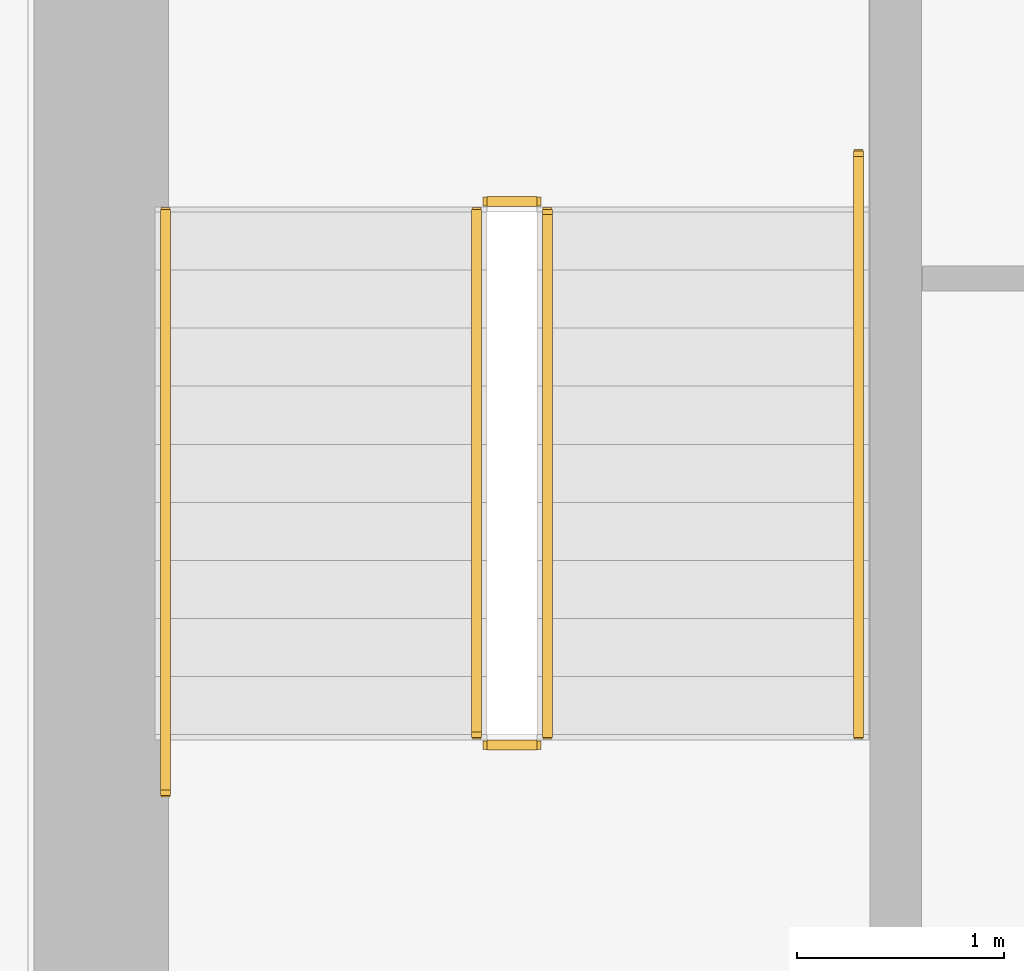
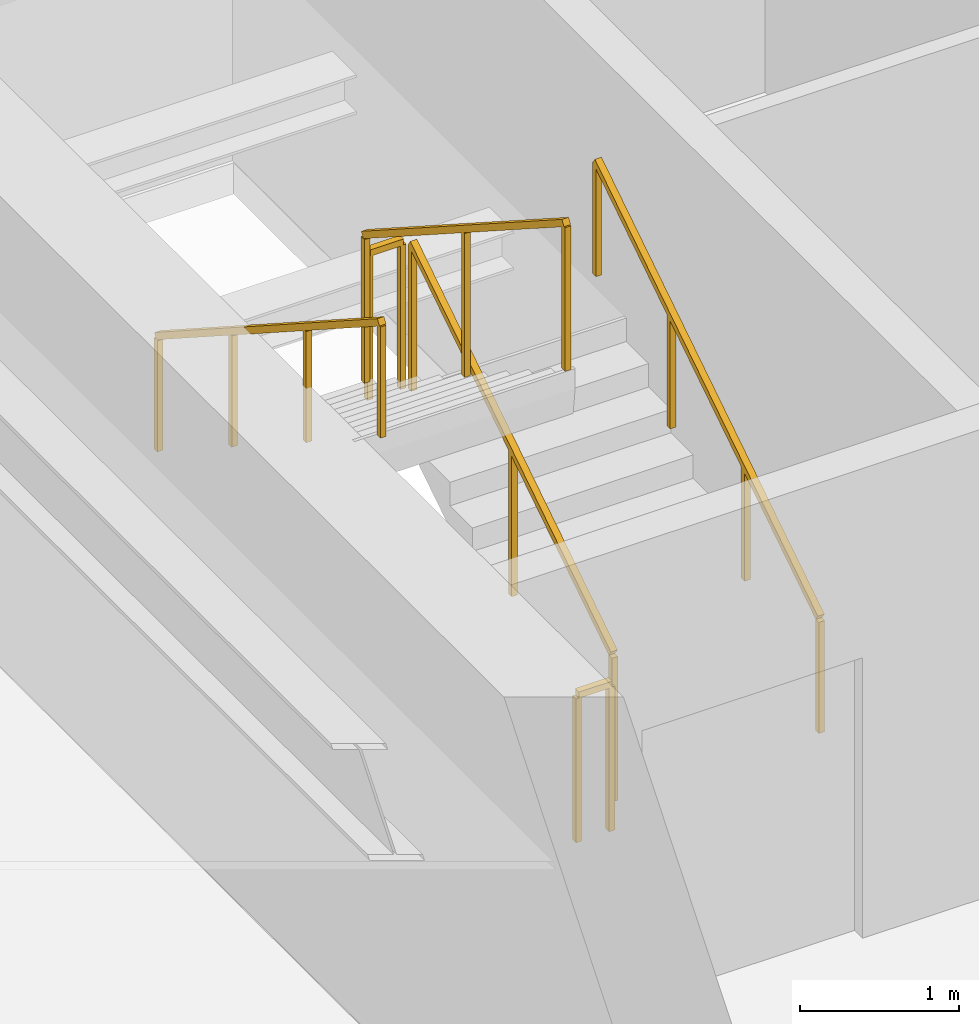
# One storey, part 33 of 36: 6 railings.
"""IFC4 building model written with IfcOpenShell, lengths in metres."""

from ifc_helpers import new_model, si_unit, direction, frame, origin, origin_2d, place, context, subcontext, project, spatial, rectangle, extrude, material, type_object, element, save


model = new_model("IFC4")

# Units and contexts
model_context = context("Model", 3, precision=1e-05, world=origin(), true_north=direction((0.0, 1.0)))
body_context = subcontext(model_context, "Body", "Model", "MODEL_VIEW")
ifc_project = project(units=[si_unit("LENGTHUNIT", "METRE"), si_unit("AREAUNIT", "SQUARE_METRE"), si_unit("VOLUMEUNIT", "CUBIC_METRE"), si_unit("PLANEANGLEUNIT", "RADIAN"), si_unit("MASSUNIT", "GRAM", prefix="KILO")], contexts=[model_context])

# Site, building, storey
site_placement = place(None, origin())
site = spatial("IfcSite", under=ifc_project, at=site_placement, CompositionType="ELEMENT")
building_placement = place(site_placement, origin())
building = spatial("IfcBuilding", under=site, at=building_placement, Name="Sumidabori Civic Tower", CompositionType="ELEMENT")
storey_placement = place(building_placement, frame((0.0, 0.0, 113.60009765625)))
storey = spatial("IfcBuildingStorey", under=building, at=storey_placement, Name="L29", CompositionType="ELEMENT", Elevation=113.60009765625)

# Railings
ifc_material_1 = material(Name="Stainless Steel Hairline Finish", Category="steel")
railing_type_1 = type_object("IfcRailingType", Name="RL-HANDRAIL", PredefinedType="HANDRAIL", material=ifc_material_1)
railing_1_placement = place(storey_placement, frame((-11.949951171875, 16.0, 0.179931640625)))
element("IfcRailing", 1, at=railing_1_placement, inside=storey, type_object=railing_type_1, Name="L29 ST-1 stair handrail 1", PredefinedType="HANDRAIL", context=body_context, shape_type="SweptSolid", body=[
    extrude(rectangle(XDim=0.048095703125, YDim=0.048095703125, at=origin_2d()), frame((0.0, 0.0, 0.8759765625), z_axis=(0.0, 0.840675598268, 0.541539046124), x_axis=(-1.0, 0.0, 0.0)), (0.0, 0.0, 1.0), 3.330810546875),
    extrude(rectangle(XDim=0.0419921875, YDim=0.0419921875, at=origin_2d()), origin(), (0.0, 0.0, 1.0), 0.851806640625),
    extrude(rectangle(XDim=0.0419921875, YDim=0.0419921875, at=origin_2d()), frame((0.0, 0.933349609375, 0.601318359375)), (0.0, 0.0, 1.0), 0.851806640625),
    extrude(rectangle(XDim=0.0419921875, YDim=0.0419921875, at=origin_2d()), frame((0.0, 1.86669921875, 1.202392578125)), (0.0, 0.0, 1.0), 0.851806640625),
    extrude(rectangle(XDim=0.0419921875, YDim=0.0419921875, at=origin_2d()), frame((0.0, 2.800048828125, 1.8037109375)), (0.0, 0.0, 1.0), 0.851806640625),
])
railing_2_placement = place(storey_placement, frame((-15.2900390625, 18.52001953125, 1.97998046875)))
element("IfcRailing", 2, at=railing_2_placement, inside=storey, type_object=railing_type_1, Name="L29 ST-1 stair handrail 2", PredefinedType="HANDRAIL", context=body_context, shape_type="SweptSolid", body=[
    extrude(rectangle(XDim=0.048095703125, YDim=0.048095703125, at=origin_2d()), frame((0.0, 0.0, 0.8759765625), z_axis=(0.0, -0.840675598268, 0.541539046124), x_axis=(1.0, 0.0, 0.0)), (0.0, 0.0, 1.0), 3.330810546875),
    extrude(rectangle(XDim=0.0419921875, YDim=0.0419921875, at=origin_2d()), origin(), (0.0, 0.0, 1.0), 0.851806640625),
    extrude(rectangle(XDim=0.0419921875, YDim=0.0419921875, at=origin_2d()), frame((0.0, -0.933349609375, 0.601318359375)), (0.0, 0.0, 1.0), 0.851806640625),
    extrude(rectangle(XDim=0.0419921875, YDim=0.0419921875, at=origin_2d()), frame((0.0, -1.86669921875, 1.202392578125)), (0.0, 0.0, 1.0), 0.851806640625),
    extrude(rectangle(XDim=0.0419921875, YDim=0.0419921875, at=origin_2d()), frame((0.0, -2.800048828125, 1.8037109375)), (0.0, 0.0, 1.0), 0.851806640625),
])
ifc_material_2 = material(Name="Steel SN490", Category="steel")
railing_type_2 = type_object("IfcRailingType", Name="RL-STAIR-GUARD", PredefinedType="GUARDRAIL", material=ifc_material_2)
railing_3_placement = place(storey_placement, frame((-13.449951171875, 16.0, 0.179931640625)))
element("IfcRailing", 3, at=railing_3_placement, inside=storey, type_object=railing_type_2, Name="L29 ST-1 stair guard 1", PredefinedType="GUARDRAIL", context=body_context, shape_type="SweptSolid", body=[
    extrude(rectangle(XDim=0.048095703125, YDim=0.048095703125, at=origin_2d()), frame((0.0, 0.0, 1.1259765625), z_axis=(0.0, 0.841199657755, 0.540724639528), x_axis=(-1.0, 0.0, 0.0)), (0.0, 0.0, 1.0), 2.995849609375),
    extrude(rectangle(XDim=0.0419921875, YDim=0.0419921875, at=origin_2d()), origin(), (0.0, 0.0, 1.0), 1.101806640625),
    extrude(rectangle(XDim=0.0419921875, YDim=0.0419921875, at=origin_2d()), frame((0.0, 1.260009765625, 0.81005859375)), (0.0, 0.0, 1.0), 1.101806640625),
    extrude(rectangle(XDim=0.0419921875, YDim=0.0419921875, at=origin_2d()), frame((0.0, 2.52001953125, 1.619873046875)), (0.0, 0.0, 1.0), 1.101806640625),
])
railing_4_placement = place(storey_placement, frame((-13.5, 18.570068359375, 1.7998046875)))
element("IfcRailing", 4, at=railing_4_placement, inside=storey, type_object=railing_type_2, Name="L29 ST-1 stair guard 2", PredefinedType="GUARDRAIL", context=body_context, shape_type="SweptSolid", body=[
    extrude(rectangle(XDim=0.048095703125, YDim=0.048095703125, at=origin_2d()), frame((0.0, 0.0, 1.1259765625), z_axis=(-1.0, 0.0, 0.0), x_axis=(0.0, -1.0, 0.0)), (0.0, 0.0, 1.0), 0.239990234375),
    extrude(rectangle(XDim=0.0419921875, YDim=0.0419921875, at=origin_2d()), origin(), (0.0, 0.0, 1.0), 1.101806640625),
    extrude(rectangle(XDim=0.0419921875, YDim=0.0419921875, at=origin_2d()), frame((-0.239990234375, 0.0, 0.0)), (0.0, 0.0, 1.0), 1.101806640625),
])
railing_5_placement = place(storey_placement, frame((-13.7900390625, 18.52001953125, 1.97998046875)))
element("IfcRailing", 5, at=railing_5_placement, inside=storey, type_object=railing_type_2, Name="L29 ST-1 stair guard 3", PredefinedType="GUARDRAIL", context=body_context, shape_type="SweptSolid", body=[
    extrude(rectangle(XDim=0.048095703125, YDim=0.048095703125, at=origin_2d()), frame((0.0, 0.0, 1.1259765625), z_axis=(0.0, -0.841199657755, 0.540724639528), x_axis=(1.0, 0.0, 0.0)), (0.0, 0.0, 1.0), 2.995849609375),
    extrude(rectangle(XDim=0.0419921875, YDim=0.0419921875, at=origin_2d()), origin(), (0.0, 0.0, 1.0), 1.101806640625),
    extrude(rectangle(XDim=0.0419921875, YDim=0.0419921875, at=origin_2d()), frame((0.0, -1.260009765625, 0.81005859375)), (0.0, 0.0, 1.0), 1.101806640625),
    extrude(rectangle(XDim=0.0419921875, YDim=0.0419921875, at=origin_2d()), frame((0.0, -2.52001953125, 1.619873046875)), (0.0, 0.0, 1.0), 1.101806640625),
])
railing_6_placement = place(storey_placement, frame((-13.5, 15.949951171875, 0.0)))
element("IfcRailing", 6, at=railing_6_placement, inside=storey, type_object=railing_type_2, Name="L29 ST-1 stair guard 4", PredefinedType="GUARDRAIL", context=body_context, shape_type="SweptSolid", body=[
    extrude(rectangle(XDim=0.048095703125, YDim=0.048095703125, at=origin_2d()), frame((0.0, 0.0, 1.1259765625), z_axis=(-1.0, 0.0, 0.0), x_axis=(0.0, -1.0, 0.0)), (0.0, 0.0, 1.0), 0.239990234375),
    extrude(rectangle(XDim=0.0419921875, YDim=0.0419921875, at=origin_2d()), origin(), (0.0, 0.0, 1.0), 1.101806640625),
    extrude(rectangle(XDim=0.0419921875, YDim=0.0419921875, at=origin_2d()), frame((-0.239990234375, 0.0, 0.0)), (0.0, 0.0, 1.0), 1.101806640625),
])

save(model, "model.ifc")
